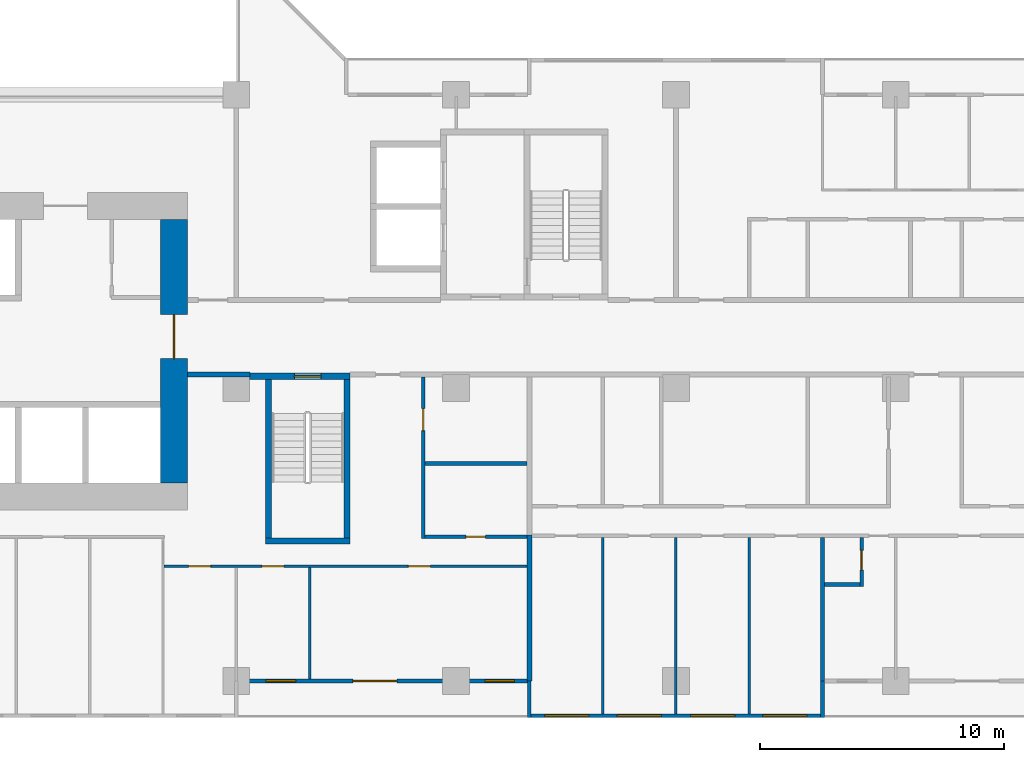
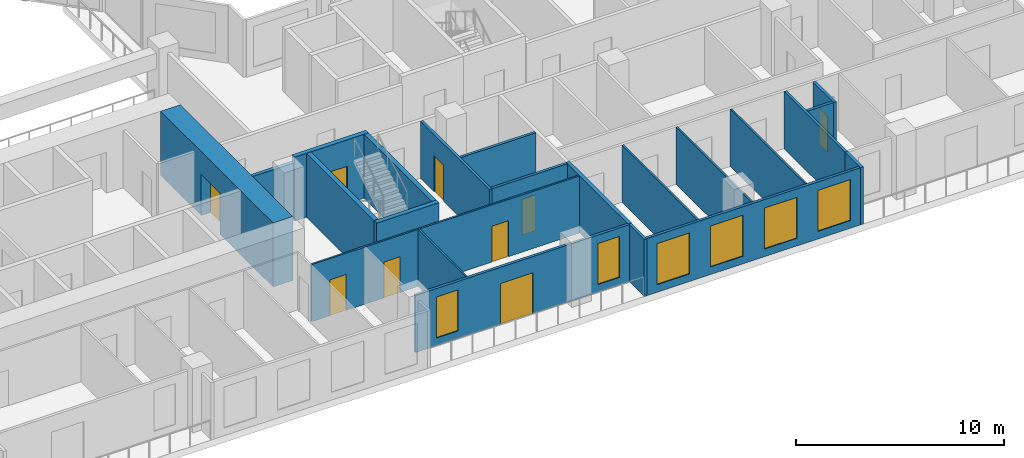
# One storey, part 6 of 16: 22 walls, 9 doors, 6 windows, 15 openings.
"""IFC4 building model written with IfcOpenShell, lengths in metres."""

from ifc_helpers import new_model, si_unit, direction, frame, frame_2d, origin, place, context, subcontext, project, spatial, rectangle, extrude, material, layer, layer_set, type_object, element, fill, save


model = new_model("IFC4")

# Units and contexts
model_context = context("Model", 3, precision=1e-05, world=origin(), true_north=direction((0.0, 1.0)))
body_context = subcontext(model_context, "Body", "Model", "MODEL_VIEW")
ifc_project = project(units=[si_unit("LENGTHUNIT", "METRE"), si_unit("AREAUNIT", "SQUARE_METRE"), si_unit("VOLUMEUNIT", "CUBIC_METRE"), si_unit("PLANEANGLEUNIT", "RADIAN"), si_unit("MASSUNIT", "GRAM", prefix="KILO")], contexts=[model_context])

# Site, building, storey
site_placement = place(None, origin())
site = spatial("IfcSite", under=ifc_project, at=site_placement, CompositionType="ELEMENT")
building_placement = place(site_placement, origin())
building = spatial("IfcBuilding", under=site, at=building_placement, Name="Chenar Terraces", CompositionType="ELEMENT")
storey_placement = place(building_placement, frame((0.0, 0.0, 75.14990234375)))
storey = spatial("IfcBuildingStorey", under=building, at=storey_placement, Name="L16", CompositionType="ELEMENT", Elevation=75.14990234375)

# Wall, opening, door
ifc_material_1 = material(Name="Concrete C70/85", Category="concrete")
ifc_layer_1 = layer(ifc_material_1, 1.10009765625)
ifc_layer_set_1 = layer_set([ifc_layer_1], Name="Concrete C70/85")
wall_type_1 = type_object("IfcWallType", Name="Core wall 1100 Concrete C70/85", PredefinedType="SHEAR", material=ifc_layer_set_1)
wall_1_placement = place(storey_placement, frame((33.449951171875, 8.10009765625, 0.0), z_axis=(0.0, 0.0, 1.0), x_axis=(0.0, 1.0, 0.0)))
wall_1 = element("IfcWall", 1, at=wall_1_placement, inside=storey, type_object=wall_type_1, Name="Core wall E L16", PredefinedType="SHEAR", context=body_context, shape_type="SweptSolid", body=[
    extrude(rectangle(XDim=10.7998046875, YDim=1.10009765625, at=frame_2d((5.39990234375, 0.0))), origin(), (0.0, 0.0, 1.0), 3.75),
])
opening_1_placement = place(wall_1_placement, frame((5.10009765625, 0.0, 0.0)))
opening_1 = element("IfcOpeningElement", 2, at=opening_1_placement, cuts=wall_1, Name="Opening DL16-C1", PredefinedType="OPENING", context=body_context, shape_type="SweptSolid", body=[
    extrude(rectangle(XDim=1.800048828125, YDim=2.39990234375, at=frame_2d((0.89990234375, 1.199951171875))), frame((0.0, 0.56005859375, 0.0), z_axis=(0.0, -1.0, 0.0), x_axis=(1.0, 0.0, 0.0)), (0.0, 0.0, 1.0), 1.1201171875),
])
ifc_material_2 = material(Name="Steel-framed fire-resisting door leaf", Category="steel")
door_type_1 = type_object("IfcDoorType", Name="Core entrance double fire door FD60 1800 x 2400", OperationType="DOUBLE_DOOR_SINGLE_SWING", PredefinedType="DOOR", material=ifc_material_2)
door_1_placement = place(opening_1_placement, origin())
door_1 = element("IfcDoor", 3, at=door_1_placement, inside=storey, type_object=door_type_1, Name="Core door DL16-C1", OperationType="DOUBLE_DOOR_SINGLE_SWING", OverallHeight=2.39990234375, OverallWidth=1.800048828125, PredefinedType="DOOR", context=body_context, shape_type="SweptSolid", body=[
    extrude(rectangle(XDim=1.800048828125, YDim=2.39990234375, at=frame_2d((0.89990234375, 1.199951171875))), frame((0.0, 0.02490234375, 0.0), z_axis=(0.0, -1.0, 0.0), x_axis=(1.0, 0.0, 0.0)), (0.0, 0.0, 1.0), 0.050048828125),
])
fill(opening_1, door_1)

# Wall
ifc_material_3 = material(Name="Concrete C70/85", Category="concrete")
ifc_layer_2 = layer(ifc_material_3, 0.25)
ifc_layer_set_2 = layer_set([ifc_layer_2], Name="Concrete C70/85")
wall_type_2 = type_object("IfcWallType", Name="Core wall 250 Concrete C70/85", PredefinedType="SHEAR", material=ifc_layer_set_2)
wall_2_placement = place(storey_placement, frame((37.199951171875, 5.72509765625, 0.0), z_axis=(0.0, 0.0, 1.0), x_axis=(1.0, 0.0, 0.0)))
element("IfcWall", 4, at=wall_2_placement, inside=storey, type_object=wall_type_2, Name="Core wall ST2_S L16", PredefinedType="SHEAR", context=body_context, shape_type="SweptSolid", body=[
    extrude(rectangle(XDim=3.449951171875, YDim=0.25, at=frame_2d((1.72509765625, 0.0))), origin(), (0.0, 0.0, 1.0), 3.75),
])

# Wall, opening, door
wall_3_placement = place(storey_placement, frame((36.550048828125, 12.47509765625, 0.0), z_axis=(0.0, 0.0, 1.0), x_axis=(1.0, 0.0, 0.0)))
wall_3 = element("IfcWall", 5, at=wall_3_placement, inside=storey, type_object=wall_type_2, Name="Core wall ST2_N L16", PredefinedType="SHEAR", context=body_context, shape_type="SweptSolid", body=[
    extrude(rectangle(XDim=4.099853515625, YDim=0.25, at=frame_2d((2.0498046875, 0.0))), origin(), (0.0, 0.0, 1.0), 3.75),
])
opening_2_placement = place(wall_3_placement, frame((1.824951171875, 0.0, 0.0)))
opening_2 = element("IfcOpeningElement", 6, at=opening_2_placement, cuts=wall_3, Name="Opening DL16-C7", PredefinedType="OPENING", context=body_context, shape_type="SweptSolid", body=[
    extrude(rectangle(XDim=1.10009765625, YDim=2.199951171875, at=frame_2d((0.550048828125, 1.10009765625))), frame((0.0, 0.135009765625, 0.0), z_axis=(0.0, -1.0, 0.0), x_axis=(1.0, 0.0, 0.0)), (0.0, 0.0, 1.0), 0.27001953125),
])
ifc_material_4 = material(Name="Steel-framed fire-resisting door leaf", Category="steel")
door_type_2 = type_object("IfcDoorType", Name="Stair fire door FD60 1100 x 2200", OperationType="SINGLE_SWING_LEFT", PredefinedType="DOOR", material=ifc_material_4)
door_2_placement = place(opening_2_placement, frame((1.10009765625, 0.0, 0.0), z_axis=(0.0, 0.0, 1.0), x_axis=(-1.0, 0.0, 0.0)))
door_2 = element("IfcDoor", 7, at=door_2_placement, inside=storey, type_object=door_type_2, Name="Stair door DL16-C7", OperationType="SINGLE_SWING_LEFT", OverallHeight=2.199951171875, OverallWidth=1.10009765625, PredefinedType="DOOR", context=body_context, shape_type="SweptSolid", body=[
    extrude(rectangle(XDim=1.10009765625, YDim=2.199951171875, at=frame_2d((0.550048828125, 1.10009765625))), frame((0.0, 0.02490234375, 0.0), z_axis=(0.0, -1.0, 0.0), x_axis=(1.0, 0.0, 0.0)), (0.0, 0.0, 1.0), 0.050048828125),
])
fill(opening_2, door_2)

# Walls
for number, where, z_axis, x_axis, name in (
    (8, (37.324951171875, 5.85009765625, 0.0), (0.0, 0.0, 1.0), (0.0, 1.0, 0.0), "Core wall ST2_W L16"),
    (9, (40.52490234375, 5.85009765625, 0.0), (0.0, 0.0, 1.0), (0.0, 1.0, 0.0), "Core wall ST2_E L16"),
):
    element("IfcWall", number, at=place(storey_placement, frame(where, z_axis=z_axis, x_axis=x_axis)), inside=storey, type_object=wall_type_2, Name=name, PredefinedType="SHEAR", context=body_context, shape_type="SweptSolid", body=[
        extrude(rectangle(XDim=6.5, YDim=0.25, at=frame_2d((3.25, 0.0))), origin(), (0.0, 0.0, 1.0), 3.75),
    ])
ifc_material_5 = material(Name="Gypsum board on steel studs with fire boards", Category="steel")
ifc_layer_3 = layer(ifc_material_5, 0.199951171875)
ifc_layer_set_3 = layer_set([ifc_layer_3], Name="Gypsum board on steel studs with fire boards")
wall_type_3 = type_object("IfcWallType", Name="Corridor wall 200", PredefinedType="PARTITIONING", material=ifc_layer_set_3)
wall_4_placement = place(storey_placement, frame((34.0, 12.550048828125, 0.0), z_axis=(0.0, 0.0, 1.0), x_axis=(1.0, 0.0, 0.0)))
element("IfcWall", 10, at=wall_4_placement, inside=storey, type_object=wall_type_3, Name="Partition L16-063", PredefinedType="PARTITIONING", context=body_context, shape_type="SweptSolid", body=[
    extrude(rectangle(XDim=2.551025390625, YDim=0.199951171875, at=frame_2d((1.275390625, 0.0))), origin(), (0.0, 0.0, 1.0), 3.35009765625),
])

# Wall, openings, windows
ifc_material_6 = material(Name="Aluminium framed glazing", Category="aluminium")
ifc_layer_4 = layer(ifc_material_6, 0.14990234375)
ifc_layer_set_4 = layer_set([ifc_layer_4], Name="Aluminium framed glazing")
wall_type_4 = type_object("IfcWallType", Name="Glazed flush facade wall 150", PredefinedType="SOLIDWALL", material=ifc_layer_set_4)
wall_5_placement = place(storey_placement, frame((48.074951171875, -1.425048828125, 0.0), z_axis=(0.0, 0.0, 1.0), x_axis=(1.0, 0.0, 0.0)))
wall_5 = element("IfcWall", 11, at=wall_5_placement, inside=storey, type_object=wall_type_4, Name="Glazed flush facade wall", PredefinedType="SOLIDWALL", context=body_context, shape_type="SweptSolid", body=[
    extrude(rectangle(XDim=11.85009765625, YDim=0.14990234375, at=frame_2d((5.925048828125, 0.0))), origin(), (0.0, 0.0, 1.0), 3.35009765625),
])
opening_3_placement = place(wall_5_placement, frame((0.5625, 0.0, 0.449951171875)))
opening_3 = element("IfcOpeningElement", 12, at=opening_3_placement, cuts=wall_5, Name="Opening W180x240", PredefinedType="OPENING", context=body_context, shape_type="SweptSolid", body=[
    extrude(rectangle(XDim=1.800048828125, YDim=2.39990234375, at=frame_2d((0.89990234375, 1.199951171875))), frame((0.0, 0.0849609375, 0.0), z_axis=(0.0, -1.0, 0.0), x_axis=(1.0, 0.0, 0.0)), (0.0, 0.0, 1.0), 0.169921875),
])
opening_4_placement = place(wall_5_placement, frame((3.52490234375, 0.0, 0.449951171875)))
opening_4 = element("IfcOpeningElement", 13, at=opening_4_placement, cuts=wall_5, Name="Opening W180x240", PredefinedType="OPENING", context=body_context, shape_type="SweptSolid", body=[
    extrude(rectangle(XDim=1.800048828125, YDim=2.39990234375, at=frame_2d((0.89990234375, 1.199951171875))), frame((0.0, 0.0849609375, 0.0), z_axis=(0.0, -1.0, 0.0), x_axis=(1.0, 0.0, 0.0)), (0.0, 0.0, 1.0), 0.169921875),
])
opening_5_placement = place(wall_5_placement, frame((6.52490234375, 0.0, 0.449951171875)))
opening_5 = element("IfcOpeningElement", 14, at=opening_5_placement, cuts=wall_5, Name="Opening W180x240", PredefinedType="OPENING", context=body_context, shape_type="SweptSolid", body=[
    extrude(rectangle(XDim=1.800048828125, YDim=2.39990234375, at=frame_2d((0.89990234375, 1.199951171875))), frame((0.0, 0.0849609375, 0.0), z_axis=(0.0, -1.0, 0.0), x_axis=(1.0, 0.0, 0.0)), (0.0, 0.0, 1.0), 0.169921875),
])
opening_6_placement = place(wall_5_placement, frame((9.487548828125, 0.0, 0.449951171875)))
opening_6 = element("IfcOpeningElement", 15, at=opening_6_placement, cuts=wall_5, Name="Opening W180x240", PredefinedType="OPENING", context=body_context, shape_type="SweptSolid", body=[
    extrude(rectangle(XDim=1.800048828125, YDim=2.39990234375, at=frame_2d((0.89990234375, 1.199951171875))), frame((0.0, 0.0849609375, 0.0), z_axis=(0.0, -1.0, 0.0), x_axis=(1.0, 0.0, 0.0)), (0.0, 0.0, 1.0), 0.169921875),
])
ifc_material_7 = material(Name="Low emissivity double glazing, aluminium frame", Category="aluminium")
window_type_1 = type_object("IfcWindowType", Name="Fixed light 1800 x 2400", PartitioningType="SINGLE_PANEL", PredefinedType="WINDOW", material=ifc_material_7)
window_1_placement = place(opening_3_placement, origin())
window_1 = element("IfcWindow", 16, at=window_1_placement, inside=storey, type_object=window_type_1, Name="Window", OverallHeight=2.39990234375, OverallWidth=1.800048828125, PartitioningType="SINGLE_PANEL", PredefinedType="WINDOW", context=body_context, shape_type="SweptSolid", body=[
    extrude(rectangle(XDim=1.800048828125, YDim=2.39990234375, at=frame_2d((0.89990234375, 1.199951171875))), frame((0.0, 0.030029296875, 0.0), z_axis=(0.0, -1.0, 0.0), x_axis=(1.0, 0.0, 0.0)), (0.0, 0.0, 1.0), 0.06005859375),
])
fill(opening_3, window_1)
window_2_placement = place(opening_4_placement, origin())
window_2 = element("IfcWindow", 17, at=window_2_placement, inside=storey, type_object=window_type_1, Name="Window", OverallHeight=2.39990234375, OverallWidth=1.800048828125, PartitioningType="SINGLE_PANEL", PredefinedType="WINDOW", context=body_context, shape_type="SweptSolid", body=[
    extrude(rectangle(XDim=1.800048828125, YDim=2.39990234375, at=frame_2d((0.89990234375, 1.199951171875))), frame((0.0, 0.030029296875, 0.0), z_axis=(0.0, -1.0, 0.0), x_axis=(1.0, 0.0, 0.0)), (0.0, 0.0, 1.0), 0.06005859375),
])
fill(opening_4, window_2)
window_3_placement = place(opening_5_placement, origin())
window_3 = element("IfcWindow", 18, at=window_3_placement, inside=storey, type_object=window_type_1, Name="Window", OverallHeight=2.39990234375, OverallWidth=1.800048828125, PartitioningType="SINGLE_PANEL", PredefinedType="WINDOW", context=body_context, shape_type="SweptSolid", body=[
    extrude(rectangle(XDim=1.800048828125, YDim=2.39990234375, at=frame_2d((0.89990234375, 1.199951171875))), frame((0.0, 0.030029296875, 0.0), z_axis=(0.0, -1.0, 0.0), x_axis=(1.0, 0.0, 0.0)), (0.0, 0.0, 1.0), 0.06005859375),
])
fill(opening_5, window_3)
window_4_placement = place(opening_6_placement, origin())
window_4 = element("IfcWindow", 19, at=window_4_placement, inside=storey, type_object=window_type_1, Name="Window", OverallHeight=2.39990234375, OverallWidth=1.800048828125, PartitioningType="SINGLE_PANEL", PredefinedType="WINDOW", context=body_context, shape_type="SweptSolid", body=[
    extrude(rectangle(XDim=1.800048828125, YDim=2.39990234375, at=frame_2d((0.89990234375, 1.199951171875))), frame((0.0, 0.030029296875, 0.0), z_axis=(0.0, -1.0, 0.0), x_axis=(1.0, 0.0, 0.0)), (0.0, 0.0, 1.0), 0.06005859375),
])
fill(opening_6, window_4)

# Wall, openings, windows, door
ifc_material_8 = material(Name="Aluminium framed glazing", Category="aluminium")
ifc_layer_5 = layer(ifc_material_8, 0.14990234375)
ifc_layer_set_5 = layer_set([ifc_layer_5], Name="Aluminium framed glazing")
wall_type_5 = type_object("IfcWallType", Name="Glazed loggia back wall 150", PredefinedType="SOLIDWALL", material=ifc_layer_set_5)
wall_6_placement = place(storey_placement, frame((36.074951171875, 0.0, 0.0), z_axis=(0.0, 0.0, 1.0), x_axis=(1.0, 0.0, 0.0)))
wall_6 = element("IfcWall", 20, at=wall_6_placement, inside=storey, type_object=wall_type_5, Name="Glazed loggia back wall", PredefinedType="SOLIDWALL", context=body_context, shape_type="SweptSolid", body=[
    extrude(rectangle(XDim=11.85009765625, YDim=0.14990234375, at=frame_2d((5.925048828125, 0.0))), origin(), (0.0, 0.0, 1.0), 3.35009765625),
])
opening_7_placement = place(wall_6_placement, frame((1.14990234375, 0.0, 0.449951171875)))
opening_7 = element("IfcOpeningElement", 21, at=opening_7_placement, cuts=wall_6, Name="Opening W120x240", PredefinedType="OPENING", context=body_context, shape_type="SweptSolid", body=[
    extrude(rectangle(XDim=1.199951171875, YDim=2.39990234375, at=frame_2d((0.60009765625, 1.199951171875))), frame((0.0, 0.0849609375, 0.0), z_axis=(0.0, -1.0, 0.0), x_axis=(1.0, 0.0, 0.0)), (0.0, 0.0, 1.0), 0.169921875),
])
opening_8_placement = place(wall_6_placement, frame((4.699951171875, 0.0, 0.0)))
opening_8 = element("IfcOpeningElement", 22, at=opening_8_placement, cuts=wall_6, Name="Opening DL16-G6", PredefinedType="OPENING", context=body_context, shape_type="SweptSolid", body=[
    extrude(rectangle(XDim=1.800048828125, YDim=2.39990234375, at=frame_2d((0.89990234375, 1.199951171875))), frame((0.0, 0.0849609375, 0.0), z_axis=(0.0, -1.0, 0.0), x_axis=(1.0, 0.0, 0.0)), (0.0, 0.0, 1.0), 0.169921875),
])
opening_9_placement = place(wall_6_placement, frame((10.112548828125, 0.0, 0.449951171875)))
opening_9 = element("IfcOpeningElement", 23, at=opening_9_placement, cuts=wall_6, Name="Opening W120x240", PredefinedType="OPENING", context=body_context, shape_type="SweptSolid", body=[
    extrude(rectangle(XDim=1.199951171875, YDim=2.39990234375, at=frame_2d((0.60009765625, 1.199951171875))), frame((0.0, 0.0849609375, 0.0), z_axis=(0.0, -1.0, 0.0), x_axis=(1.0, 0.0, 0.0)), (0.0, 0.0, 1.0), 0.169921875),
])
ifc_material_9 = material(Name="Low emissivity double glazing, aluminium frame", Category="aluminium")
window_type_2 = type_object("IfcWindowType", Name="Fixed light 1200 x 2400", PartitioningType="SINGLE_PANEL", PredefinedType="WINDOW", material=ifc_material_9)
window_5_placement = place(opening_7_placement, origin())
window_5 = element("IfcWindow", 24, at=window_5_placement, inside=storey, type_object=window_type_2, Name="Window", OverallHeight=2.39990234375, OverallWidth=1.199951171875, PartitioningType="SINGLE_PANEL", PredefinedType="WINDOW", context=body_context, shape_type="SweptSolid", body=[
    extrude(rectangle(XDim=1.199951171875, YDim=2.39990234375, at=frame_2d((0.60009765625, 1.199951171875))), frame((0.0, 0.030029296875, 0.0), z_axis=(0.0, -1.0, 0.0), x_axis=(1.0, 0.0, 0.0)), (0.0, 0.0, 1.0), 0.06005859375),
])
fill(opening_7, window_5)
window_6_placement = place(opening_9_placement, origin())
window_6 = element("IfcWindow", 25, at=window_6_placement, inside=storey, type_object=window_type_2, Name="Window", OverallHeight=2.39990234375, OverallWidth=1.199951171875, PartitioningType="SINGLE_PANEL", PredefinedType="WINDOW", context=body_context, shape_type="SweptSolid", body=[
    extrude(rectangle(XDim=1.199951171875, YDim=2.39990234375, at=frame_2d((0.60009765625, 1.199951171875))), frame((0.0, 0.030029296875, 0.0), z_axis=(0.0, -1.0, 0.0), x_axis=(1.0, 0.0, 0.0)), (0.0, 0.0, 1.0), 0.06005859375),
])
fill(opening_9, window_6)
ifc_material_10 = material(Name="Low emissivity double glazing, aluminium frame", Category="aluminium")
door_type_3 = type_object("IfcDoorType", Name="Loggia glazed double door 1800 x 2400", OperationType="DOUBLE_DOOR_SINGLE_SWING", PredefinedType="DOOR", material=ifc_material_10)
door_3_placement = place(opening_8_placement, frame((1.800048828125, 0.0, 0.0), z_axis=(0.0, 0.0, 1.0), x_axis=(-1.0, 0.0, 0.0)))
door_3 = element("IfcDoor", 26, at=door_3_placement, inside=storey, type_object=door_type_3, Name="Loggia glazed door", OperationType="DOUBLE_DOOR_SINGLE_SWING", OverallHeight=2.39990234375, OverallWidth=1.800048828125, PredefinedType="DOOR", context=body_context, shape_type="SweptSolid", body=[
    extrude(rectangle(XDim=1.800048828125, YDim=2.39990234375, at=frame_2d((0.89990234375, 1.199951171875))), frame((0.0, 0.02490234375, 0.0), z_axis=(0.0, -1.0, 0.0), x_axis=(1.0, 0.0, 0.0)), (0.0, 0.0, 1.0), 0.050048828125),
])
fill(opening_8, door_3)

# Wall, openings, doors
ifc_material_11 = material(Name="Gypsum board on steel studs", Category="steel")
ifc_layer_6 = layer(ifc_material_11, 0.10009765625)
ifc_layer_set_6 = layer_set([ifc_layer_6], Name="Gypsum board on steel studs")
wall_type_6 = type_object("IfcWallType", Name="Gypsum partition 100", PredefinedType="PARTITIONING", material=ifc_layer_set_6)
wall_7_placement = place(storey_placement, frame((33.050048828125, 4.699951171875, 0.0), z_axis=(0.0, 0.0, 1.0), x_axis=(1.0, 0.0, 0.0)))
wall_7 = element("IfcWall", 27, at=wall_7_placement, inside=storey, type_object=wall_type_6, Name="Partition L16-062", PredefinedType="PARTITIONING", context=body_context, shape_type="SweptSolid", body=[
    extrude(rectangle(XDim=14.849853515625, YDim=0.10009765625, at=frame_2d((7.4248046875, 0.0))), origin(), (0.0, 0.0, 1.0), 3.35009765625),
])
opening_10_placement = place(wall_7_placement, frame((1.0, 0.0, 0.0)))
opening_10 = element("IfcOpeningElement", 28, at=opening_10_placement, cuts=wall_7, Name="Opening DL16-62", PredefinedType="OPENING", context=body_context, shape_type="SweptSolid", body=[
    extrude(rectangle(XDim=0.89990234375, YDim=2.10009765625, at=frame_2d((0.449951171875, 1.050048828125))), frame((0.0, 0.06005859375, 0.0), z_axis=(0.0, -1.0, 0.0), x_axis=(1.0, 0.0, 0.0)), (0.0, 0.0, 1.0), 0.1201171875),
])
opening_11_placement = place(wall_7_placement, frame((4.0, 0.0, 0.0)))
opening_11 = element("IfcOpeningElement", 29, at=opening_11_placement, cuts=wall_7, Name="Opening DL16-63", PredefinedType="OPENING", context=body_context, shape_type="SweptSolid", body=[
    extrude(rectangle(XDim=0.89990234375, YDim=2.10009765625, at=frame_2d((0.449951171875, 1.050048828125))), frame((0.0, 0.06005859375, 0.0), z_axis=(0.0, -1.0, 0.0), x_axis=(1.0, 0.0, 0.0)), (0.0, 0.0, 1.0), 0.1201171875),
])
opening_12_placement = place(wall_7_placement, frame((10.0, 0.0, 0.0)))
opening_12 = element("IfcOpeningElement", 30, at=opening_12_placement, cuts=wall_7, Name="Opening DL16-69", PredefinedType="OPENING", context=body_context, shape_type="SweptSolid", body=[
    extrude(rectangle(XDim=0.89990234375, YDim=2.10009765625, at=frame_2d((0.449951171875, 1.050048828125))), frame((0.0, 0.06005859375, 0.0), z_axis=(0.0, -1.0, 0.0), x_axis=(1.0, 0.0, 0.0)), (0.0, 0.0, 1.0), 0.1201171875),
])
ifc_material_12 = material(Name="Veneered timber door leaf", Category="wood")
door_type_4 = type_object("IfcDoorType", Name="Door 900 x 2100", OperationType="SINGLE_SWING_LEFT", PredefinedType="DOOR", material=ifc_material_12)
door_4_placement = place(opening_10_placement, frame((0.89990234375, 0.0, 0.0), z_axis=(0.0, 0.0, 1.0), x_axis=(-1.0, 0.0, 0.0)))
door_4 = element("IfcDoor", 31, at=door_4_placement, inside=storey, type_object=door_type_4, Name="Door DL16-62", OperationType="SINGLE_SWING_LEFT", OverallHeight=2.10009765625, OverallWidth=0.89990234375, PredefinedType="DOOR", context=body_context, shape_type="SweptSolid", body=[
    extrude(rectangle(XDim=0.89990234375, YDim=2.10009765625, at=frame_2d((0.449951171875, 1.050048828125))), frame((0.0, 0.02490234375, 0.0), z_axis=(0.0, -1.0, 0.0), x_axis=(1.0, 0.0, 0.0)), (0.0, 0.0, 1.0), 0.050048828125),
])
fill(opening_10, door_4)
door_5_placement = place(opening_11_placement, frame((0.89990234375, 0.0, 0.0), z_axis=(0.0, 0.0, 1.0), x_axis=(-1.0, 0.0, 0.0)))
door_5 = element("IfcDoor", 32, at=door_5_placement, inside=storey, type_object=door_type_4, Name="Door DL16-63", OperationType="SINGLE_SWING_LEFT", OverallHeight=2.10009765625, OverallWidth=0.89990234375, PredefinedType="DOOR", context=body_context, shape_type="SweptSolid", body=[
    extrude(rectangle(XDim=0.89990234375, YDim=2.10009765625, at=frame_2d((0.449951171875, 1.050048828125))), frame((0.0, 0.02490234375, 0.0), z_axis=(0.0, -1.0, 0.0), x_axis=(1.0, 0.0, 0.0)), (0.0, 0.0, 1.0), 0.050048828125),
])
fill(opening_11, door_5)
door_6_placement = place(opening_12_placement, frame((0.89990234375, 0.0, 0.0), z_axis=(0.0, 0.0, 1.0), x_axis=(-1.0, 0.0, 0.0)))
door_6 = element("IfcDoor", 33, at=door_6_placement, inside=storey, type_object=door_type_4, Name="Door DL16-69", OperationType="SINGLE_SWING_LEFT", OverallHeight=2.10009765625, OverallWidth=0.89990234375, PredefinedType="DOOR", context=body_context, shape_type="SweptSolid", body=[
    extrude(rectangle(XDim=0.89990234375, YDim=2.10009765625, at=frame_2d((0.449951171875, 1.050048828125))), frame((0.0, 0.02490234375, 0.0), z_axis=(0.0, -1.0, 0.0), x_axis=(1.0, 0.0, 0.0)), (0.0, 0.0, 1.0), 0.050048828125),
])
fill(opening_12, door_6)

# Walls
wall_8_placement = place(storey_placement, frame((39.0, 0.073974609375, 0.0), z_axis=(0.0, 0.0, 1.0), x_axis=(0.0, 1.0, 0.0)))
element("IfcWall", 34, at=wall_8_placement, inside=storey, type_object=wall_type_6, Name="Partition L16-067", PredefinedType="PARTITIONING", context=body_context, shape_type="SweptSolid", body=[
    extrude(rectangle(XDim=4.575927734375, YDim=0.10009765625, at=frame_2d((2.2880859375, 0.0))), origin(), (0.0, 0.0, 1.0), 3.35009765625),
])
for number, where, z_axis, x_axis, name in (
    (35, (51.0, -1.35107421875, 0.0), (0.0, 0.0, 1.0), (0.0, 1.0, 0.0), "Partition L16-077"),
    (36, (54.0, -1.35107421875, 0.0), (0.0, 0.0, 1.0), (0.0, 1.0, 0.0), "Partition L16-081"),
    (37, (57.0, -1.35107421875, 0.0), (0.0, 0.0, 1.0), (0.0, 1.0, 0.0), "Partition L16-084"),
):
    element("IfcWall", number, at=place(storey_placement, frame(where, z_axis=z_axis, x_axis=x_axis)), inside=storey, type_object=wall_type_6, Name=name, PredefinedType="PARTITIONING", context=body_context, shape_type="SweptSolid", body=[
        extrude(rectangle(XDim=7.22607421875, YDim=0.10009765625, at=frame_2d((3.613037109375, 0.0))), origin(), (0.0, 0.0, 1.0), 3.35009765625),
    ])
ifc_material_13 = material(Name="Terracotta cladding on insulated backing", Category="masonry")
ifc_layer_7 = layer(ifc_material_13, 0.14990234375)
ifc_layer_set_7 = layer_set([ifc_layer_7], Name="Terracotta cladding on insulated backing")
wall_type_7 = type_object("IfcWallType", Name="Loggia return wall 150", PredefinedType="SOLIDWALL", material=ifc_layer_set_7)
for number, where, z_axis, x_axis, name in (
    (38, (48.0, -1.5, 0.0), (0.0, 0.0, 1.0), (0.0, 1.0, 0.0), "Loggia return wall"),
    (39, (60.0, -1.5, 0.0), (0.0, 0.0, 1.0), (0.0, 1.0, 0.0), "Loggia return wall"),
):
    element("IfcWall", number, at=place(storey_placement, frame(where, z_axis=z_axis, x_axis=x_axis)), inside=storey, type_object=wall_type_7, Name=name, PredefinedType="SOLIDWALL", context=body_context, shape_type="SweptSolid", body=[
        extrude(rectangle(XDim=1.5, YDim=0.14990234375, at=frame_2d((0.75, 0.0))), origin(), (0.0, 0.0, 1.0), 3.35009765625),
    ])
ifc_material_14 = material(Name="Twin gypsum board on steel studs with mineral wool", Category="steel")
ifc_layer_8 = layer(ifc_material_14, 0.199951171875)
ifc_layer_set_8 = layer_set([ifc_layer_8], Name="Twin gypsum board on steel studs with mineral wool")
wall_type_8 = type_object("IfcWallType", Name="Unit demising wall 200", PredefinedType="PARTITIONING", material=ifc_layer_set_8)
wall_9_placement = place(storey_placement, frame((48.0, 0.0, 0.0), z_axis=(0.0, 0.0, 1.0), x_axis=(0.0, 1.0, 0.0)))
element("IfcWall", 40, at=wall_9_placement, inside=storey, type_object=wall_type_8, Name="Partition L16-073", PredefinedType="PARTITIONING", context=body_context, shape_type="SweptSolid", body=[
    extrude(rectangle(XDim=5.97509765625, YDim=0.199951171875, at=frame_2d((2.987548828125, 0.0))), origin(), (0.0, 0.0, 1.0), 3.35009765625),
])

# Wall, opening, door
ifc_material_15 = material(Name="Moisture-resistant gypsum board on steel studs", Category="steel")
ifc_layer_9 = layer(ifc_material_15, 0.14990234375)
ifc_layer_set_9 = layer_set([ifc_layer_9], Name="Moisture-resistant gypsum board on steel studs")
wall_type_9 = type_object("IfcWallType", Name="Wet-room partition 150", PredefinedType="PARTITIONING", material=ifc_layer_set_9)
wall_10_placement = place(storey_placement, frame((43.64990234375, 5.824951171875, 0.0), z_axis=(0.0, 0.0, 1.0), x_axis=(0.0, 1.0, 0.0)))
wall_10 = element("IfcWall", 41, at=wall_10_placement, inside=storey, type_object=wall_type_9, Name="Partition L16-069", PredefinedType="PARTITIONING", context=body_context, shape_type="SweptSolid", body=[
    extrude(rectangle(XDim=6.625, YDim=0.14990234375, at=frame_2d((3.3125, 0.0))), origin(), (0.0, 0.0, 1.0), 3.35009765625),
])
opening_13_placement = place(wall_10_placement, frame((4.425048828125, 0.0, 0.0)))
opening_13 = element("IfcOpeningElement", 42, at=opening_13_placement, cuts=wall_10, Name="Opening DL16-67", PredefinedType="OPENING", context=body_context, shape_type="SweptSolid", body=[
    extrude(rectangle(XDim=0.89990234375, YDim=2.10009765625, at=frame_2d((0.449951171875, 1.050048828125))), frame((0.0, 0.0849609375, 0.0), z_axis=(0.0, -1.0, 0.0), x_axis=(1.0, 0.0, 0.0)), (0.0, 0.0, 1.0), 0.169921875),
])
door_7_placement = place(opening_13_placement, frame((0.89990234375, 0.0, 0.0), z_axis=(0.0, 0.0, 1.0), x_axis=(-1.0, 0.0, 0.0)))
door_7 = element("IfcDoor", 43, at=door_7_placement, inside=storey, type_object=door_type_4, Name="Door DL16-67", OperationType="SINGLE_SWING_LEFT", OverallHeight=2.10009765625, OverallWidth=0.89990234375, PredefinedType="DOOR", context=body_context, shape_type="SweptSolid", body=[
    extrude(rectangle(XDim=0.89990234375, YDim=2.10009765625, at=frame_2d((0.449951171875, 1.050048828125))), frame((0.0, 0.02490234375, 0.0), z_axis=(0.0, -1.0, 0.0), x_axis=(1.0, 0.0, 0.0)), (0.0, 0.0, 1.0), 0.050048828125),
])
fill(opening_13, door_7)

wall_11_placement = place(storey_placement, frame((43.72509765625, 5.89990234375, 0.0), z_axis=(0.0, 0.0, 1.0), x_axis=(1.0, 0.0, 0.0)))
wall_11 = element("IfcWall", 44, at=wall_11_placement, inside=storey, type_object=wall_type_9, Name="Partition L16-070", PredefinedType="PARTITIONING", context=body_context, shape_type="SweptSolid", body=[
    extrude(rectangle(XDim=4.1748046875, YDim=0.14990234375, at=frame_2d((2.08740234375, 0.0))), origin(), (0.0, 0.0, 1.0), 3.35009765625),
])
opening_14_placement = place(wall_11_placement, frame((1.675048828125, 0.0, 0.0)))
opening_14 = element("IfcOpeningElement", 45, at=opening_14_placement, cuts=wall_11, Name="Opening DL16-57", PredefinedType="OPENING", context=body_context, shape_type="SweptSolid", body=[
    extrude(rectangle(XDim=0.800048828125, YDim=2.10009765625, at=frame_2d((0.39990234375, 1.050048828125))), frame((0.0, 0.0849609375, 0.0), z_axis=(0.0, -1.0, 0.0), x_axis=(1.0, 0.0, 0.0)), (0.0, 0.0, 1.0), 0.169921875),
])
ifc_material_16 = material(Name="Veneered timber door leaf", Category="wood")
door_type_5 = type_object("IfcDoorType", Name="Door 800 x 2100", OperationType="SINGLE_SWING_LEFT", PredefinedType="DOOR", material=ifc_material_16)
door_8_placement = place(opening_14_placement, origin())
door_8 = element("IfcDoor", 46, at=door_8_placement, inside=storey, type_object=door_type_5, Name="Door DL16-57", OperationType="SINGLE_SWING_LEFT", OverallHeight=2.10009765625, OverallWidth=0.800048828125, PredefinedType="DOOR", context=body_context, shape_type="SweptSolid", body=[
    extrude(rectangle(XDim=0.800048828125, YDim=2.10009765625, at=frame_2d((0.39990234375, 1.050048828125))), frame((0.0, 0.02490234375, 0.0), z_axis=(0.0, -1.0, 0.0), x_axis=(1.0, 0.0, 0.0)), (0.0, 0.0, 1.0), 0.050048828125),
])
fill(opening_14, door_8)

# Walls
wall_12_placement = place(storey_placement, frame((43.72509765625, 8.89990234375, 0.0), z_axis=(0.0, 0.0, 1.0), x_axis=(1.0, 0.0, 0.0)))
element("IfcWall", 47, at=wall_12_placement, inside=storey, type_object=wall_type_9, Name="Partition L16-071", PredefinedType="PARTITIONING", context=body_context, shape_type="SweptSolid", body=[
    extrude(rectangle(XDim=4.1748046875, YDim=0.14990234375, at=frame_2d((2.08740234375, 0.0))), origin(), (0.0, 0.0, 1.0), 3.35009765625),
])
wall_13_placement = place(storey_placement, frame((60.0, 0.0, 0.0), z_axis=(0.0, 0.0, 1.0), x_axis=(0.0, 1.0, 0.0)))
element("IfcWall", 48, at=wall_13_placement, inside=storey, type_object=wall_type_9, Name="Partition L16-089", PredefinedType="PARTITIONING", context=body_context, shape_type="SweptSolid", body=[
    extrude(rectangle(XDim=5.875, YDim=0.14990234375, at=frame_2d((2.9375, 0.0))), origin(), (0.0, 0.0, 1.0), 3.35009765625),
])
wall_14_placement = place(storey_placement, frame((60.074951171875, 3.949951171875, 0.0), z_axis=(0.0, 0.0, 1.0), x_axis=(1.0, 0.0, 0.0)))
element("IfcWall", 49, at=wall_14_placement, inside=storey, type_object=wall_type_9, Name="Partition L16-091", PredefinedType="PARTITIONING", context=body_context, shape_type="SweptSolid", body=[
    extrude(rectangle(XDim=1.449951171875, YDim=0.14990234375, at=frame_2d((0.72509765625, 0.0))), origin(), (0.0, 0.0, 1.0), 3.35009765625),
])

# Wall, opening, door
wall_15_placement = place(storey_placement, frame((61.60009765625, 3.875, 0.0), z_axis=(0.0, 0.0, 1.0), x_axis=(0.0, 1.0, 0.0)))
wall_15 = element("IfcWall", 50, at=wall_15_placement, inside=storey, type_object=wall_type_9, Name="Partition L16-092", PredefinedType="PARTITIONING", context=body_context, shape_type="SweptSolid", body=[
    extrude(rectangle(XDim=2.0, YDim=0.14990234375, at=frame_2d((1.0, 0.0))), origin(), (0.0, 0.0, 1.0), 3.35009765625),
])
opening_15_placement = place(wall_15_placement, frame((0.675048828125, 0.0, 0.0)))
opening_15 = element("IfcOpeningElement", 51, at=opening_15_placement, cuts=wall_15, Name="Opening DL16-26", PredefinedType="OPENING", context=body_context, shape_type="SweptSolid", body=[
    extrude(rectangle(XDim=0.800048828125, YDim=2.10009765625, at=frame_2d((0.39990234375, 1.050048828125))), frame((0.0, 0.0849609375, 0.0), z_axis=(0.0, -1.0, 0.0), x_axis=(1.0, 0.0, 0.0)), (0.0, 0.0, 1.0), 0.169921875),
])
door_9_placement = place(opening_15_placement, origin())
door_9 = element("IfcDoor", 52, at=door_9_placement, inside=storey, type_object=door_type_5, Name="Door DL16-26", OperationType="SINGLE_SWING_LEFT", OverallHeight=2.10009765625, OverallWidth=0.800048828125, PredefinedType="DOOR", context=body_context, shape_type="SweptSolid", body=[
    extrude(rectangle(XDim=0.800048828125, YDim=2.10009765625, at=frame_2d((0.39990234375, 1.050048828125))), frame((0.0, 0.02490234375, 0.0), z_axis=(0.0, -1.0, 0.0), x_axis=(1.0, 0.0, 0.0)), (0.0, 0.0, 1.0), 0.050048828125),
])
fill(opening_15, door_9)

save(model, "model.ifc")
